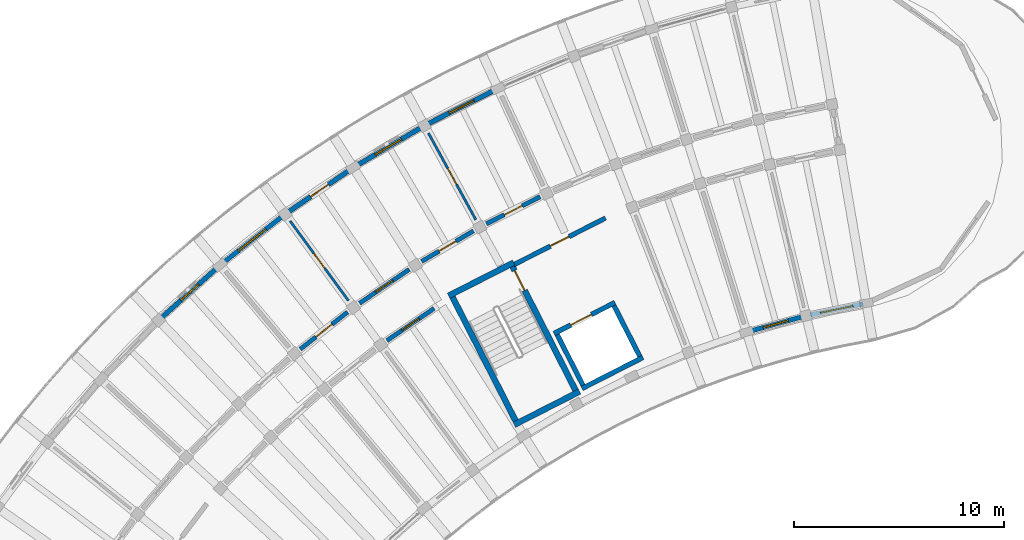
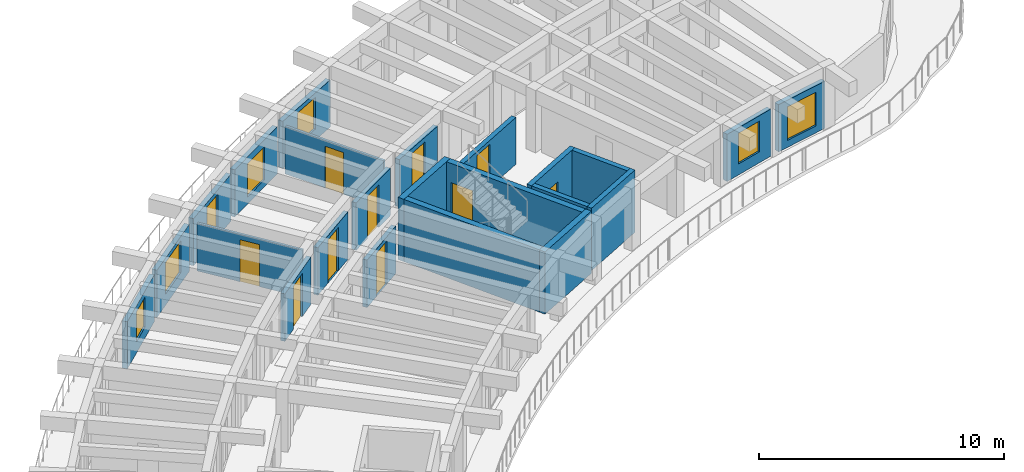
# One storey, part 38 of 62: 23 walls, 11 doors, 6 windows, 17 openings.
"""IFC4 building model written with IfcOpenShell, lengths in metres."""

from ifc_helpers import new_model, si_unit, direction, frame, frame_2d, origin, place, context, subcontext, project, spatial, rectangle, extrude, material, layer, layer_set, type_object, element, fill, save


model = new_model("IFC4")

# Units and contexts
model_context = context("Model", 3, precision=1e-05, world=origin(), true_north=direction((0.0, 1.0)))
body_context = subcontext(model_context, "Body", "Model", "MODEL_VIEW")
ifc_project = project(units=[si_unit("LENGTHUNIT", "METRE"), si_unit("AREAUNIT", "SQUARE_METRE"), si_unit("VOLUMEUNIT", "CUBIC_METRE"), si_unit("PLANEANGLEUNIT", "RADIAN"), si_unit("MASSUNIT", "GRAM", prefix="KILO")], contexts=[model_context])

# Site, building, storey
site_placement = place(None, origin())
site = spatial("IfcSite", under=ifc_project, at=site_placement, CompositionType="ELEMENT")
building_placement = place(site_placement, origin())
building = spatial("IfcBuilding", under=site, at=building_placement, Name="Tanwirah Colonnade Gardens", CompositionType="ELEMENT")
storey_placement = place(building_placement, frame((0.0, 0.0, 32.360107421875)))
storey = spatial("IfcBuildingStorey", under=building, at=storey_placement, Name="L09", CompositionType="ELEMENT", Elevation=32.360107421875)

# Wall, opening, window
ifc_material_1 = material(Name="Limestone architectural precast concrete C40/50", Category="masonry")
ifc_layer_1 = layer(ifc_material_1, 0.22509765625)
ifc_layer_set_1 = layer_set([ifc_layer_1], Name="Limestone architectural precast concrete C40/50")
wall_type_1 = type_object("IfcWallType", Name="EW-PC225", PredefinedType="SOLIDWALL", material=ifc_layer_set_1)
wall_1_placement = place(storey_placement, frame((57.28955078125, 103.970947265625, 0.0), z_axis=(0.0, 0.0, 1.0), x_axis=(-0.979344333802, -0.20219959409, 0.0)))
wall_1 = element("IfcWall", 1, at=wall_1_placement, inside=storey, type_object=wall_type_1, Name="Block A L09 IN Precast Facade Wall 1", PredefinedType="SOLIDWALL", context=body_context, shape_type="SweptSolid", body=[
    extrude(rectangle(XDim=2.545166015625, YDim=0.22509765625, at=frame_2d((1.2724609375, 0.0))), origin(), (0.0, 0.0, 1.0), 2.35498046875),
])
opening_1_placement = place(wall_1_placement, frame((0.482666015625, 0.0, 0.35009765625)))
opening_1 = element("IfcOpeningElement", 2, at=opening_1_placement, cuts=wall_1, Name="Opening WIN-T20", PredefinedType="OPENING", context=body_context, shape_type="SweptSolid", body=[
    extrude(rectangle(XDim=1.580078125, YDim=1.679931640625, at=frame_2d((0.7900390625, 0.83984375))), frame((0.0, 0.12255859375, 0.0), z_axis=(0.0, -1.0, 0.0), x_axis=(1.0, 0.0, 0.0)), (0.0, 0.0, 1.0), 0.2451171875),
])
ifc_material_2 = material(Name="Thermally broken bronze aluminium and solar low-E double glazing", Category="aluminium")
window_type_1 = type_object("IfcWindowType", Name="WIN-T20", PartitioningType="DOUBLE_PANEL_VERTICAL", PredefinedType="WINDOW", material=ifc_material_2)
window_1_placement = place(opening_1_placement, origin())
window_1 = element("IfcWindow", 3, at=window_1_placement, inside=storey, type_object=window_type_1, Name="Facade window A-L09-IN-01", OverallHeight=1.679931640625, OverallWidth=1.580078125, PartitioningType="SINGLE_PANEL", PredefinedType="WINDOW", context=body_context, shape_type="SweptSolid", body=[
    extrude(rectangle(XDim=1.580078125, YDim=1.679931640625, at=frame_2d((0.7900390625, 0.83984375))), frame((0.0, 0.030029296875, 0.0), z_axis=(0.0, -1.0, 0.0), x_axis=(1.0, 0.0, 0.0)), (0.0, 0.0, 1.0), 0.06005859375),
])
fill(opening_1, window_1)

wall_2_placement = place(storey_placement, frame((54.369384765625, 103.353271484375, 0.0), z_axis=(0.0, 0.0, 1.0), x_axis=(-0.963872968618, -0.26636234788, 0.0)))
wall_2 = element("IfcWall", 4, at=wall_2_placement, inside=storey, type_object=wall_type_1, Name="Block A L09 IN Precast Facade Wall 2", PredefinedType="SOLIDWALL", context=body_context, shape_type="SweptSolid", body=[
    extrude(rectangle(XDim=2.54541015625, YDim=0.22509765625, at=frame_2d((1.272705078125, 0.0))), origin(), (0.0, 0.0, 1.0), 2.35498046875),
])
opening_2_placement = place(wall_2_placement, frame((0.652587890625, 0.0, 0.550048828125)))
opening_2 = element("IfcOpeningElement", 5, at=opening_2_placement, cuts=wall_2, Name="Opening WIN-U03", PredefinedType="OPENING", context=body_context, shape_type="SweptSolid", body=[
    extrude(rectangle(XDim=1.239990234375, YDim=1.534912109375, at=frame_2d((0.6201171875, 0.767578125))), frame((0.0, 0.12255859375, 0.0), z_axis=(0.0, -1.0, 0.0), x_axis=(1.0, 0.0, 0.0)), (0.0, 0.0, 1.0), 0.2451171875),
])
window_type_2 = type_object("IfcWindowType", Name="WIN-U03", PartitioningType="DOUBLE_PANEL_VERTICAL", PredefinedType="WINDOW", material=ifc_material_2)
window_2_placement = place(opening_2_placement, origin())
window_2 = element("IfcWindow", 6, at=window_2_placement, inside=storey, type_object=window_type_2, Name="Facade window A-L09-IN-02", OverallHeight=1.534912109375, OverallWidth=1.239990234375, PartitioningType="SINGLE_PANEL", PredefinedType="WINDOW", context=body_context, shape_type="SweptSolid", body=[
    extrude(rectangle(XDim=1.239990234375, YDim=1.534912109375, at=frame_2d((0.6201171875, 0.767578125))), frame((0.0, 0.030029296875, 0.0), z_axis=(0.0, -1.0, 0.0), x_axis=(1.0, 0.0, 0.0)), (0.0, 0.0, 1.0), 0.06005859375),
])
fill(opening_2, window_2)

wall_3_placement = place(storey_placement, frame((39.79052734375, 114.14501953125, 0.0), z_axis=(0.0, 0.0, 1.0), x_axis=(-0.892766264705, -0.450520140066, 0.0)))
wall_3 = element("IfcWall", 7, at=wall_3_placement, inside=storey, type_object=wall_type_1, Name="Block A L09 OUT Precast Facade Wall 5", PredefinedType="SOLIDWALL", context=body_context, shape_type="SweptSolid", body=[
    extrude(rectangle(XDim=3.540771484375, YDim=0.22509765625, at=frame_2d((1.7705078125, 0.0))), origin(), (0.0, 0.0, 1.0), 2.35498046875),
])
opening_3_placement = place(wall_3_placement, frame((1.1103515625, 0.0, 0.550048828125)))
opening_3 = element("IfcOpeningElement", 8, at=opening_3_placement, cuts=wall_3, Name="Opening WIN-U05", PredefinedType="OPENING", context=body_context, shape_type="SweptSolid", body=[
    extrude(rectangle(XDim=1.320068359375, YDim=1.5849609375, at=frame_2d((0.66015625, 0.79248046875))), frame((0.0, 0.12255859375, 0.0), z_axis=(0.0, -1.0, 0.0), x_axis=(1.0, 0.0, 0.0)), (0.0, 0.0, 1.0), 0.2451171875),
])
window_type_3 = type_object("IfcWindowType", Name="WIN-U05", PartitioningType="DOUBLE_PANEL_VERTICAL", PredefinedType="WINDOW", material=ifc_material_2)
window_3_placement = place(opening_3_placement, origin())
window_3 = element("IfcWindow", 9, at=window_3_placement, inside=storey, type_object=window_type_3, Name="Facade window A-L09-OUT-05", OverallHeight=1.5849609375, OverallWidth=1.320068359375, PartitioningType="SINGLE_PANEL", PredefinedType="WINDOW", context=body_context, shape_type="SweptSolid", body=[
    extrude(rectangle(XDim=1.320068359375, YDim=1.5849609375, at=frame_2d((0.66015625, 0.79248046875))), frame((0.0, 0.030029296875, 0.0), z_axis=(0.0, -1.0, 0.0), x_axis=(1.0, 0.0, 0.0)), (0.0, 0.0, 1.0), 0.06005859375),
])
fill(opening_3, window_3)

wall_4_placement = place(storey_placement, frame((36.24365234375, 112.3388671875, 0.0), z_axis=(0.0, 0.0, 1.0), x_axis=(-0.861133733249, -0.508378494294, 0.0)))
wall_4 = element("IfcWall", 10, at=wall_4_placement, inside=storey, type_object=wall_type_1, Name="Block A L09 OUT Precast Facade Wall 6", PredefinedType="SOLIDWALL", context=body_context, shape_type="SweptSolid", body=[
    extrude(rectangle(XDim=3.540771484375, YDim=0.22509765625, at=frame_2d((1.7705078125, 0.0))), origin(), (0.0, 0.0, 1.0), 2.35498046875),
])
opening_4_placement = place(wall_4_placement, frame((1.05029296875, 0.0, 0.35009765625)))
opening_4 = element("IfcOpeningElement", 11, at=opening_4_placement, cuts=wall_4, Name="Opening WIN-U08", PredefinedType="OPENING", context=body_context, shape_type="SweptSolid", body=[
    extrude(rectangle(XDim=1.43994140625, YDim=1.659912109375, at=frame_2d((0.719970703125, 0.830078125))), frame((0.0, 0.12255859375, 0.0), z_axis=(0.0, -1.0, 0.0), x_axis=(1.0, 0.0, 0.0)), (0.0, 0.0, 1.0), 0.2451171875),
])
window_type_4 = type_object("IfcWindowType", Name="WIN-U08", PartitioningType="DOUBLE_PANEL_VERTICAL", PredefinedType="WINDOW", material=ifc_material_2)
window_4_placement = place(opening_4_placement, origin())
window_4 = element("IfcWindow", 12, at=window_4_placement, inside=storey, type_object=window_type_4, Name="Facade window A-L09-OUT-06", OverallHeight=1.659912109375, OverallWidth=1.43994140625, PartitioningType="SINGLE_PANEL", PredefinedType="WINDOW", context=body_context, shape_type="SweptSolid", body=[
    extrude(rectangle(XDim=1.43994140625, YDim=1.659912109375, at=frame_2d((0.719970703125, 0.830078125))), frame((0.0, 0.030029296875, 0.0), z_axis=(0.0, -1.0, 0.0), x_axis=(1.0, 0.0, 0.0)), (0.0, 0.0, 1.0), 0.06005859375),
])
fill(opening_4, window_4)

# Wall, opening, door
wall_5_placement = place(storey_placement, frame((32.916259765625, 110.36181640625, 0.0), z_axis=(0.0, 0.0, 1.0), x_axis=(-0.825792366032, -0.563974262005, 0.0)))
wall_5 = element("IfcWall", 13, at=wall_5_placement, inside=storey, type_object=wall_type_1, Name="Block A L09 OUT Precast Facade Wall 7", PredefinedType="SOLIDWALL", context=body_context, shape_type="SweptSolid", body=[
    extrude(rectangle(XDim=3.54052734375, YDim=0.22509765625, at=frame_2d((1.770263671875, 0.0))), origin(), (0.0, 0.0, 1.0), 2.35498046875),
])
opening_5_placement = place(wall_5_placement, frame((1.26025390625, 0.0, 0.0)))
opening_5 = element("IfcOpeningElement", 14, at=opening_5_placement, cuts=wall_5, Name="Opening L09-ED042", PredefinedType="OPENING", context=body_context, shape_type="SweptSolid", body=[
    extrude(rectangle(XDim=1.02001953125, YDim=2.139892578125, at=frame_2d((0.510009765625, 1.06982421875))), frame((0.0, 0.12255859375, 0.0), z_axis=(0.0, -1.0, 0.0), x_axis=(1.0, 0.0, 0.0)), (0.0, 0.0, 1.0), 0.2451171875),
])
ifc_material_3 = material(Name="Bronze aluminium glazed balcony door", Category="aluminium")
door_type_1 = type_object("IfcDoorType", Name="ED-BAL102", OperationType="NOTDEFINED", PredefinedType="DOOR", material=ifc_material_3)
door_1_placement = place(opening_5_placement, origin())
door_1 = element("IfcDoor", 15, at=door_1_placement, inside=storey, type_object=door_type_1, Name="Balcony glazed door L09-ED042", OperationType="SINGLE_SWING_LEFT", OverallHeight=2.139892578125, OverallWidth=1.02001953125, PredefinedType="DOOR", context=body_context, shape_type="SweptSolid", body=[
    extrude(rectangle(XDim=1.02001953125, YDim=2.139892578125, at=frame_2d((0.510009765625, 1.06982421875))), frame((0.0, 0.02490234375, 0.0), z_axis=(0.0, -1.0, 0.0), x_axis=(1.0, 0.0, 0.0)), (0.0, 0.0, 1.0), 0.050048828125),
])
fill(opening_5, door_1)

# Wall, opening, window
wall_6_placement = place(storey_placement, frame((29.6376953125, 108.10498046875, 0.0), z_axis=(0.0, 0.0, 1.0), x_axis=(-0.786813367299, -0.617190995592, 0.0)))
wall_6 = element("IfcWall", 16, at=wall_6_placement, inside=storey, type_object=wall_type_1, Name="Block A L09 OUT Precast Facade Wall 8", PredefinedType="SOLIDWALL", context=body_context, shape_type="SweptSolid", body=[
    extrude(rectangle(XDim=3.540771484375, YDim=0.22509765625, at=frame_2d((1.7705078125, 0.0))), origin(), (0.0, 0.0, 1.0), 2.35498046875),
])
opening_6_placement = place(wall_6_placement, frame((0.930419921875, 0.0, 0.550048828125)))
opening_6 = element("IfcOpeningElement", 17, at=opening_6_placement, cuts=wall_6, Name="Opening WIN-U14", PredefinedType="OPENING", context=body_context, shape_type="SweptSolid", body=[
    extrude(rectangle(XDim=1.679931640625, YDim=1.5849609375, at=frame_2d((0.83984375, 0.79248046875))), frame((0.0, 0.12255859375, 0.0), z_axis=(0.0, -1.0, 0.0), x_axis=(1.0, 0.0, 0.0)), (0.0, 0.0, 1.0), 0.2451171875),
])
window_type_5 = type_object("IfcWindowType", Name="WIN-U14", PartitioningType="DOUBLE_PANEL_VERTICAL", PredefinedType="WINDOW", material=ifc_material_2)
window_5_placement = place(opening_6_placement, origin())
window_5 = element("IfcWindow", 18, at=window_5_placement, inside=storey, type_object=window_type_5, Name="Facade window A-L09-OUT-08", OverallHeight=1.5849609375, OverallWidth=1.679931640625, PartitioningType="SINGLE_PANEL", PredefinedType="WINDOW", context=body_context, shape_type="SweptSolid", body=[
    extrude(rectangle(XDim=1.679931640625, YDim=1.5849609375, at=frame_2d((0.83984375, 0.79248046875))), frame((0.0, 0.030029296875, 0.0), z_axis=(0.0, -1.0, 0.0), x_axis=(1.0, 0.0, 0.0)), (0.0, 0.0, 1.0), 0.06005859375),
])
fill(opening_6, window_5)

wall_7_placement = place(storey_placement, frame((26.59912109375, 105.707763671875, 0.0), z_axis=(0.0, 0.0, 1.0), x_axis=(-0.744438243575, -0.667691322021, 0.0)))
wall_7 = element("IfcWall", 19, at=wall_7_placement, inside=storey, type_object=wall_type_1, Name="Block A L09 OUT Precast Facade Wall 9", PredefinedType="SOLIDWALL", context=body_context, shape_type="SweptSolid", body=[
    extrude(rectangle(XDim=3.54052734375, YDim=0.22509765625, at=frame_2d((1.770263671875, 0.0))), origin(), (0.0, 0.0, 1.0), 2.35498046875),
])
opening_7_placement = place(wall_7_placement, frame((1.1953125, 0.0, 0.550048828125)))
opening_7 = element("IfcOpeningElement", 20, at=opening_7_placement, cuts=wall_7, Name="Opening WIN-T01", PredefinedType="OPENING", context=body_context, shape_type="SweptSolid", body=[
    extrude(rectangle(XDim=1.14990234375, YDim=1.5, at=frame_2d((0.574951171875, 0.75))), frame((0.0, 0.12255859375, 0.0), z_axis=(0.0, -1.0, 0.0), x_axis=(1.0, 0.0, 0.0)), (0.0, 0.0, 1.0), 0.2451171875),
])
window_type_6 = type_object("IfcWindowType", Name="WIN-T01", PartitioningType="SINGLE_PANEL", PredefinedType="WINDOW", material=ifc_material_2)
window_6_placement = place(opening_7_placement, origin())
window_6 = element("IfcWindow", 21, at=window_6_placement, inside=storey, type_object=window_type_6, Name="Facade window A-L09-OUT-09", OverallHeight=1.5, OverallWidth=1.14990234375, PartitioningType="SINGLE_PANEL", PredefinedType="WINDOW", context=body_context, shape_type="SweptSolid", body=[
    extrude(rectangle(XDim=1.14990234375, YDim=1.5, at=frame_2d((0.574951171875, 0.75))), frame((0.0, 0.030029296875, 0.0), z_axis=(0.0, -1.0, 0.0), x_axis=(1.0, 0.0, 0.0)), (0.0, 0.0, 1.0), 0.06005859375),
])
fill(opening_7, window_6)

# Wall, opening, door
ifc_material_4 = material(Name="Precast concrete C40/50", Category="concrete")
ifc_layer_2 = layer(ifc_material_4, 0.205078125)
ifc_layer_set_2 = layer_set([ifc_layer_2], Name="Precast concrete C40/50")
wall_type_2 = type_object("IfcWallType", Name="IW-CORR205", PredefinedType="PARTITIONING", material=ifc_layer_set_2)
wall_8_placement = place(storey_placement, frame((41.93994140625, 109.072509765625, 0.0), z_axis=(0.0, 0.0, 1.0), x_axis=(-0.89273239336, -0.450587254419, 0.0)))
wall_8 = element("IfcWall", 22, at=wall_8_placement, inside=storey, type_object=wall_type_2, Name="Block A L09 OUT Corridor Wall 5", PredefinedType="PARTITIONING", context=body_context, shape_type="SweptSolid", body=[
    extrude(rectangle(XDim=2.863037109375, YDim=0.205078125, at=frame_2d((1.431640625, 0.0))), origin(), (0.0, 0.0, 1.0), 2.369873046875),
])
opening_8_placement = place(wall_8_placement, frame((0.95654296875, 0.0, 0.0)))
opening_8 = element("IfcOpeningElement", 23, at=opening_8_placement, cuts=wall_8, Name="Opening L09-AD608", PredefinedType="OPENING", context=body_context, shape_type="SweptSolid", body=[
    extrude(rectangle(XDim=0.949951171875, YDim=2.1298828125, at=frame_2d((0.47509765625, 1.06494140625))), frame((0.0, 0.112548828125, 0.0), z_axis=(0.0, -1.0, 0.0), x_axis=(1.0, 0.0, 0.0)), (0.0, 0.0, 1.0), 0.22509765625),
])
ifc_material_5 = material(Name="Solid oak fire-resisting apartment entrance door")
door_type_2 = type_object("IfcDoorType", Name="ID-FLT095", OperationType="NOTDEFINED", PredefinedType="DOOR", material=ifc_material_5)
door_2_placement = place(opening_8_placement, origin())
door_2 = element("IfcDoor", 24, at=door_2_placement, inside=storey, type_object=door_type_2, Name="Apartment corridor door L09-AD608", OperationType="SINGLE_SWING_LEFT", OverallHeight=2.1298828125, OverallWidth=0.949951171875, PredefinedType="DOOR", context=body_context, shape_type="SweptSolid", body=[
    extrude(rectangle(XDim=0.949951171875, YDim=2.1298828125, at=frame_2d((0.47509765625, 1.06494140625))), frame((0.0, 0.02490234375, 0.0), z_axis=(0.0, -1.0, 0.0), x_axis=(1.0, 0.0, 0.0)), (0.0, 0.0, 1.0), 0.050048828125),
])
fill(opening_8, door_2)

wall_9_placement = place(storey_placement, frame((38.77001953125, 107.447021484375, 0.0), z_axis=(0.0, 0.0, 1.0), x_axis=(-0.861113214678, -0.508413248753, 0.0)))
wall_9 = element("IfcWall", 25, at=wall_9_placement, inside=storey, type_object=wall_type_2, Name="Block A L09 OUT Corridor Wall 6", PredefinedType="PARTITIONING", context=body_context, shape_type="SweptSolid", body=[
    extrude(rectangle(XDim=2.863037109375, YDim=0.205078125, at=frame_2d((1.431640625, 0.0))), origin(), (0.0, 0.0, 1.0), 2.369873046875),
])
opening_9_placement = place(wall_9_placement, frame((0.966552734375, 0.0, 0.0)))
opening_9 = element("IfcOpeningElement", 26, at=opening_9_placement, cuts=wall_9, Name="Opening L09-AD610", PredefinedType="OPENING", context=body_context, shape_type="SweptSolid", body=[
    extrude(rectangle(XDim=0.929931640625, YDim=2.1201171875, at=frame_2d((0.46484375, 1.06005859375))), frame((0.0, 0.112548828125, 0.0), z_axis=(0.0, -1.0, 0.0), x_axis=(1.0, 0.0, 0.0)), (0.0, 0.0, 1.0), 0.22509765625),
])
door_type_3 = type_object("IfcDoorType", Name="ID-FLT093", OperationType="NOTDEFINED", PredefinedType="DOOR", material=ifc_material_5)
door_3_placement = place(opening_9_placement, origin())
door_3 = element("IfcDoor", 27, at=door_3_placement, inside=storey, type_object=door_type_3, Name="Apartment corridor door L09-AD610", OperationType="SINGLE_SWING_RIGHT", OverallHeight=2.1201171875, OverallWidth=0.929931640625, PredefinedType="DOOR", context=body_context, shape_type="SweptSolid", body=[
    extrude(rectangle(XDim=0.929931640625, YDim=2.1201171875, at=frame_2d((0.46484375, 1.06005859375))), frame((0.0, 0.02490234375, 0.0), z_axis=(0.0, -1.0, 0.0), x_axis=(1.0, 0.0, 0.0)), (0.0, 0.0, 1.0), 0.050048828125),
])
fill(opening_9, door_3)

wall_10_placement = place(storey_placement, frame((35.714111328125, 105.615966796875, 0.0), z_axis=(0.0, 0.0, 1.0), x_axis=(-0.825779671787, -0.563992848947, 0.0)))
wall_10 = element("IfcWall", 28, at=wall_10_placement, inside=storey, type_object=wall_type_2, Name="Block A L09 OUT Corridor Wall 7", PredefinedType="PARTITIONING", context=body_context, shape_type="SweptSolid", body=[
    extrude(rectangle(XDim=2.863037109375, YDim=0.205078125, at=frame_2d((1.431640625, 0.0))), origin(), (0.0, 0.0, 1.0), 2.369873046875),
])
opening_10_placement = place(wall_10_placement, frame((0.9365234375, 0.0, 0.0)))
opening_10 = element("IfcOpeningElement", 29, at=opening_10_placement, cuts=wall_10, Name="Opening L09-AD611", PredefinedType="OPENING", context=body_context, shape_type="SweptSolid", body=[
    extrude(rectangle(XDim=0.989990234375, YDim=2.159912109375, at=frame_2d((0.4951171875, 1.080078125))), frame((0.0, 0.112548828125, 0.0), z_axis=(0.0, -1.0, 0.0), x_axis=(1.0, 0.0, 0.0)), (0.0, 0.0, 1.0), 0.22509765625),
])
door_type_4 = type_object("IfcDoorType", Name="ID-FLT099", OperationType="NOTDEFINED", PredefinedType="DOOR", material=ifc_material_5)
door_4_placement = place(opening_10_placement, origin())
door_4 = element("IfcDoor", 30, at=door_4_placement, inside=storey, type_object=door_type_4, Name="Apartment corridor door L09-AD611", OperationType="SINGLE_SWING_LEFT", OverallHeight=2.159912109375, OverallWidth=0.989990234375, PredefinedType="DOOR", context=body_context, shape_type="SweptSolid", body=[
    extrude(rectangle(XDim=0.989990234375, YDim=2.159912109375, at=frame_2d((0.4951171875, 1.080078125))), frame((0.0, 0.02490234375, 0.0), z_axis=(0.0, -1.0, 0.0), x_axis=(1.0, 0.0, 0.0)), (0.0, 0.0, 1.0), 0.050048828125),
])
fill(opening_10, door_4)

wall_11_placement = place(storey_placement, frame((36.89453125, 103.759521484375, 0.0), z_axis=(0.0, 0.0, 1.0), x_axis=(-0.825752009056, -0.56403334967, 0.0)))
wall_11 = element("IfcWall", 31, at=wall_11_placement, inside=storey, type_object=wall_type_2, Name="Block A L09 IN Corridor Wall 7", PredefinedType="PARTITIONING", context=body_context, shape_type="SweptSolid", body=[
    extrude(rectangle(XDim=2.71826171875, YDim=0.205078125, at=frame_2d((1.359130859375, 0.0))), origin(), (0.0, 0.0, 1.0), 2.369873046875),
])
opening_11_placement = place(wall_11_placement, frame((0.864013671875, 0.0, 0.0)))
opening_11 = element("IfcOpeningElement", 32, at=opening_11_placement, cuts=wall_11, Name="Opening L09-AD612", PredefinedType="OPENING", context=body_context, shape_type="SweptSolid", body=[
    extrude(rectangle(XDim=0.989990234375, YDim=2.159912109375, at=frame_2d((0.4951171875, 1.080078125))), frame((0.0, 0.112548828125, 0.0), z_axis=(0.0, -1.0, 0.0), x_axis=(1.0, 0.0, 0.0)), (0.0, 0.0, 1.0), 0.22509765625),
])
door_5_placement = place(opening_11_placement, origin())
door_5 = element("IfcDoor", 33, at=door_5_placement, inside=storey, type_object=door_type_4, Name="Apartment corridor door L09-AD612", OperationType="SINGLE_SWING_RIGHT", OverallHeight=2.159912109375, OverallWidth=0.989990234375, PredefinedType="DOOR", context=body_context, shape_type="SweptSolid", body=[
    extrude(rectangle(XDim=0.989990234375, YDim=2.159912109375, at=frame_2d((0.4951171875, 1.080078125))), frame((0.0, 0.02490234375, 0.0), z_axis=(0.0, -1.0, 0.0), x_axis=(1.0, 0.0, 0.0)), (0.0, 0.0, 1.0), 0.050048828125),
])
fill(opening_11, door_5)

wall_12_placement = place(storey_placement, frame((32.785400390625, 103.587890625, 0.0), z_axis=(0.0, 0.0, 1.0), x_axis=(-0.786806323554, -0.617199975061, 0.0)))
wall_12 = element("IfcWall", 34, at=wall_12_placement, inside=storey, type_object=wall_type_2, Name="Block A L09 OUT Corridor Wall 8", PredefinedType="PARTITIONING", context=body_context, shape_type="SweptSolid", body=[
    extrude(rectangle(XDim=2.863037109375, YDim=0.205078125, at=frame_2d((1.431640625, 0.0))), origin(), (0.0, 0.0, 1.0), 2.369873046875),
])
opening_12_placement = place(wall_12_placement, frame((0.946533203125, 0.0, 0.0)))
opening_12 = element("IfcOpeningElement", 35, at=opening_12_placement, cuts=wall_12, Name="Opening L09-AD615", PredefinedType="OPENING", context=body_context, shape_type="SweptSolid", body=[
    extrude(rectangle(XDim=0.969970703125, YDim=2.14990234375, at=frame_2d((0.48486328125, 1.074951171875))), frame((0.0, 0.112548828125, 0.0), z_axis=(0.0, -1.0, 0.0), x_axis=(1.0, 0.0, 0.0)), (0.0, 0.0, 1.0), 0.22509765625),
])
door_type_5 = type_object("IfcDoorType", Name="ID-FLT097", OperationType="NOTDEFINED", PredefinedType="DOOR", material=ifc_material_5)
door_6_placement = place(opening_12_placement, origin())
door_6 = element("IfcDoor", 36, at=door_6_placement, inside=storey, type_object=door_type_5, Name="Apartment corridor door L09-AD615", OperationType="SINGLE_SWING_RIGHT", OverallHeight=2.14990234375, OverallWidth=0.969970703125, PredefinedType="DOOR", context=body_context, shape_type="SweptSolid", body=[
    extrude(rectangle(XDim=0.969970703125, YDim=2.14990234375, at=frame_2d((0.48486328125, 1.074951171875))), frame((0.0, 0.02490234375, 0.0), z_axis=(0.0, -1.0, 0.0), x_axis=(1.0, 0.0, 0.0)), (0.0, 0.0, 1.0), 0.050048828125),
])
fill(opening_12, door_6)

ifc_material_6 = material(Name="Autoclaved aerated masonry blockwork", Category="masonry")
ifc_layer_3 = layer(ifc_material_6, 0.219970703125)
ifc_layer_set_3 = layer_set([ifc_layer_3], Name="Autoclaved aerated masonry blockwork")
wall_type_3 = type_object("IfcWallType", Name="IW-FFL220", PredefinedType="PARTITIONING", material=ifc_layer_set_3)
wall_13_placement = place(storey_placement, frame((40.68212890625, 105.833740234375, 0.0), z_axis=(0.0, 0.0, 1.0), x_axis=(0.891003372311, 0.453996685595, 0.0)))
wall_13 = element("IfcWall", 37, at=wall_13_placement, inside=storey, type_object=wall_type_3, Name="CORE-A1 L09 Enclosed Lobby Fire Wall", PredefinedType="PARTITIONING", context=body_context, shape_type="SweptSolid", body=[
    extrude(rectangle(XDim=4.900146484375, YDim=0.219970703125, at=frame_2d((2.4501953125, 0.0))), origin(), (0.0, 0.0, 1.0), 2.33984375),
])
opening_13_placement = place(wall_13_placement, frame((1.949951171875, 0.0, 0.0)))
opening_13 = element("IfcOpeningElement", 38, at=opening_13_placement, cuts=wall_13, Name="Opening L09-LD027", PredefinedType="OPENING", context=body_context, shape_type="SweptSolid", body=[
    extrude(rectangle(XDim=1.0, YDim=2.14990234375, at=frame_2d((0.5, 1.074951171875))), frame((0.0, 0.119873046875, 0.0), z_axis=(0.0, -1.0, 0.0), x_axis=(1.0, 0.0, 0.0)), (0.0, 0.0, 1.0), 0.239990234375),
])
ifc_material_7 = material(Name="Acoustic fire-resisting lobby door")
door_type_6 = type_object("IfcDoorType", Name="ID-FFL100", OperationType="NOTDEFINED", PredefinedType="DOOR", material=ifc_material_7)
door_7_placement = place(opening_13_placement, origin())
door_7 = element("IfcDoor", 39, at=door_7_placement, inside=storey, type_object=door_type_6, Name="CORE-A1 L09 Lobby Fire Door L09-LD027", OperationType="SINGLE_SWING_RIGHT", OverallHeight=2.14990234375, OverallWidth=1.0, PredefinedType="DOOR", context=body_context, shape_type="SweptSolid", body=[
    extrude(rectangle(XDim=1.0, YDim=2.14990234375, at=frame_2d((0.5, 1.074951171875))), frame((0.0, 0.02490234375, 0.0), z_axis=(0.0, -1.0, 0.0), x_axis=(1.0, 0.0, 0.0)), (0.0, 0.0, 1.0), 0.050048828125),
])
fill(opening_13, door_7)

ifc_material_8 = material(Name="Acoustic gypsum stud partition")
ifc_layer_4 = layer(ifc_material_8, 0.114990234375)
ifc_layer_set_4 = layer_set([ifc_layer_4], Name="Acoustic gypsum stud partition")
wall_type_4 = type_object("IfcWallType", Name="IW-INT115", PredefinedType="PARTITIONING", material=ifc_layer_set_4)
wall_14_placement = place(storey_placement, frame((38.879638671875, 107.975830078125, 0.0), z_axis=(0.0, 0.0, 1.0), x_axis=(-0.479721743761, 0.877420679357, 0.0)))
wall_14 = element("IfcWall", 40, at=wall_14_placement, inside=storey, type_object=wall_type_4, Name="Block A L09 Radial Partition 5", PredefinedType="PARTITIONING", context=body_context, shape_type="SweptSolid", body=[
    extrude(rectangle(XDim=4.699951171875, YDim=0.114990234375, at=frame_2d((2.35009765625, 0.0))), origin(), (0.0, 0.0, 1.0), 2.369873046875),
])
opening_14_placement = place(wall_14_placement, frame((1.9150390625, 0.0, 0.0)))
opening_14 = element("IfcOpeningElement", 41, at=opening_14_placement, cuts=wall_14, Name="Opening L09-RD609", PredefinedType="OPENING", context=body_context, shape_type="SweptSolid", body=[
    extrude(rectangle(XDim=0.8701171875, YDim=2.080078125, at=frame_2d((0.43505859375, 1.0400390625))), frame((0.0, 0.0673828125, 0.0), z_axis=(0.0, -1.0, 0.0), x_axis=(1.0, 0.0, 0.0)), (0.0, 0.0, 1.0), 0.135009765625),
])
ifc_material_9 = material(Name="Painted hardwood study door", Category="wood")
door_type_7 = type_object("IfcDoorType", Name="ID-RM087", OperationType="NOTDEFINED", PredefinedType="DOOR", material=ifc_material_9)
door_8_placement = place(opening_14_placement, origin())
door_8 = element("IfcDoor", 42, at=door_8_placement, inside=storey, type_object=door_type_7, Name="Internal apartment door L09-RD609", OperationType="SINGLE_SWING_LEFT", OverallHeight=2.080078125, OverallWidth=0.8701171875, PredefinedType="DOOR", context=body_context, shape_type="SweptSolid", body=[
    extrude(rectangle(XDim=0.8701171875, YDim=2.080078125, at=frame_2d((0.43505859375, 1.0400390625))), frame((0.0, 0.02490234375, 0.0), z_axis=(0.0, -1.0, 0.0), x_axis=(1.0, 0.0, 0.0)), (0.0, 0.0, 1.0), 0.050048828125),
])
fill(opening_14, door_8)

wall_15_placement = place(storey_placement, frame((32.824462890625, 104.12646484375, 0.0), z_axis=(0.0, 0.0, 1.0), x_axis=(-0.590910940129, 0.806736797745, 0.0)))
wall_15 = element("IfcWall", 43, at=wall_15_placement, inside=storey, type_object=wall_type_4, Name="Block A L09 Radial Partition 7", PredefinedType="PARTITIONING", context=body_context, shape_type="SweptSolid", body=[
    extrude(rectangle(XDim=4.7001953125, YDim=0.114990234375, at=frame_2d((2.35009765625, 0.0))), origin(), (0.0, 0.0, 1.0), 2.369873046875),
])
opening_15_placement = place(wall_15_placement, frame((1.905029296875, 0.0, 0.0)))
opening_15 = element("IfcOpeningElement", 44, at=opening_15_placement, cuts=wall_15, Name="Opening L09-RD613", PredefinedType="OPENING", context=body_context, shape_type="SweptSolid", body=[
    extrude(rectangle(XDim=0.889892578125, YDim=2.10009765625, at=frame_2d((0.44482421875, 1.050048828125))), frame((0.0, 0.0673828125, 0.0), z_axis=(0.0, -1.0, 0.0), x_axis=(1.0, 0.0, 0.0)), (0.0, 0.0, 1.0), 0.135009765625),
])
ifc_material_10 = material(Name="Painted hardwood bedroom door", Category="wood")
door_type_8 = type_object("IfcDoorType", Name="ID-RM089", OperationType="NOTDEFINED", PredefinedType="DOOR", material=ifc_material_10)
door_9_placement = place(opening_15_placement, origin())
door_9 = element("IfcDoor", 45, at=door_9_placement, inside=storey, type_object=door_type_8, Name="Internal apartment door L09-RD613", OperationType="SINGLE_SWING_LEFT", OverallHeight=2.10009765625, OverallWidth=0.889892578125, PredefinedType="DOOR", context=body_context, shape_type="SweptSolid", body=[
    extrude(rectangle(XDim=0.889892578125, YDim=2.10009765625, at=frame_2d((0.44482421875, 1.050048828125))), frame((0.0, 0.02490234375, 0.0), z_axis=(0.0, -1.0, 0.0), x_axis=(1.0, 0.0, 0.0)), (0.0, 0.0, 1.0), 0.050048828125),
])
fill(opening_15, door_9)

# Walls
ifc_material_11 = material(Name="Concrete C45/55", Category="concrete")
ifc_layer_5 = layer(ifc_material_11, 0.280029296875)
ifc_layer_set_5 = layer_set([ifc_layer_5], Name="Concrete C45/55")
wall_type_5 = type_object("IfcWallType", Name="SW-CORE280", PredefinedType="SHEAR", material=ifc_layer_set_5)
wall_16_placement = place(storey_placement, frame((37.7734375, 104.295654296875, 0.0), z_axis=(0.0, 0.0, 1.0), x_axis=(0.453992276384, -0.891005618941, 0.0)))
element("IfcWall", 46, at=wall_16_placement, inside=storey, type_object=wall_type_5, Name="CORE-A1 L09 Stair Shaft Shear Wall LEFT", PredefinedType="SHEAR", context=body_context, shape_type="SweptSolid", body=[
    extrude(rectangle(XDim=6.599853515625, YDim=0.280029296875, at=frame_2d((3.2998046875, 0.0))), origin(), (0.0, 0.0, 1.0), 3.10986328125),
])
for number, where, z_axis, x_axis, name in (
    (47, (40.708740234375, 98.2265625, 0.0), (0.0, 0.0, 1.0), (0.891005763861, 0.453991991964, 0.0), "CORE-A1 L09 Stair Shaft Shear Wall FAR"),
    (48, (37.585205078125, 104.356689453125, 0.0), (0.0, 0.0, 1.0), (0.891020222667, 0.453963613958, 0.0), "CORE-A1 L09 Stair Shaft Shear Wall NEAR"),
):
    element("IfcWall", number, at=place(storey_placement, frame(where, z_axis=z_axis, x_axis=x_axis)), inside=storey, type_object=wall_type_5, Name=name, PredefinedType="SHEAR", context=body_context, shape_type="SweptSolid", body=[
        extrude(rectangle(XDim=3.47998046875, YDim=0.280029296875, at=frame_2d((1.739990234375, 0.0))), origin(), (0.0, 0.0, 1.0), 3.10986328125),
    ])

# Wall, opening, door
wall_17_placement = place(storey_placement, frame((40.624755859375, 105.748291015625, 0.0), z_axis=(0.0, 0.0, 1.0), x_axis=(0.453992276384, -0.891005618941, 0.0)))
wall_17 = element("IfcWall", 49, at=wall_17_placement, inside=storey, type_object=wall_type_5, Name="CORE-A1 L09 Stair Shaft Shear Wall RIGHT", PredefinedType="SHEAR", context=body_context, shape_type="SweptSolid", body=[
    extrude(rectangle(XDim=6.599853515625, YDim=0.280029296875, at=frame_2d((3.2998046875, 0.0))), origin(), (0.0, 0.0, 1.0), 3.10986328125),
])
opening_16_placement = place(wall_17_placement, frame((0.219970703125, 0.0, 0.0)))
opening_16 = element("IfcOpeningElement", 50, at=opening_16_placement, cuts=wall_17, Name="Opening L09-SD011", PredefinedType="OPENING", context=body_context, shape_type="SweptSolid", body=[
    extrude(rectangle(XDim=1.050048828125, YDim=2.14990234375, at=frame_2d((0.52490234375, 1.074951171875))), frame((0.0, 0.14990234375, 0.0), z_axis=(0.0, -1.0, 0.0), x_axis=(1.0, 0.0, 0.0)), (0.0, 0.0, 1.0), 0.300048828125),
])
ifc_material_12 = material(Name="Steel fire-resisting stair enclosure door", Category="steel")
door_type_9 = type_object("IfcDoorType", Name="ID-ST105", OperationType="NOTDEFINED", PredefinedType="DOOR", material=ifc_material_12)
door_10_placement = place(opening_16_placement, origin())
door_10 = element("IfcDoor", 51, at=door_10_placement, inside=storey, type_object=door_type_9, Name="CORE-A1 L09 Stair Fire Door L09-SD011", OperationType="SINGLE_SWING_RIGHT", OverallHeight=2.14990234375, OverallWidth=1.050048828125, PredefinedType="DOOR", context=body_context, shape_type="SweptSolid", body=[
    extrude(rectangle(XDim=1.050048828125, YDim=2.14990234375, at=frame_2d((0.52490234375, 1.074951171875))), frame((0.0, 0.02490234375, 0.0), z_axis=(0.0, -1.0, 0.0), x_axis=(1.0, 0.0, 0.0)), (0.0, 0.0, 1.0), 0.050048828125),
])
fill(opening_16, door_10)

ifc_layer_6 = layer(ifc_material_11, 0.22998046875)
ifc_layer_set_6 = layer_set([ifc_layer_6], Name="Concrete C45/55")
wall_type_6 = type_object("IfcWallType", Name="SW-LIFT230", PredefinedType="SHEAR", material=ifc_layer_set_6)
wall_18_placement = place(storey_placement, frame((42.5966796875, 102.561279296875, 0.0), z_axis=(0.0, 0.0, 1.0), x_axis=(0.891001200497, 0.454000947921, 0.0)))
wall_18 = element("IfcWall", 52, at=wall_18_placement, inside=storey, type_object=wall_type_6, Name="CORE-A1 L09 Lift Shaft Wall FRONT", PredefinedType="SHEAR", context=body_context, shape_type="SweptSolid", body=[
    extrude(rectangle(XDim=3.259765625, YDim=0.22998046875, at=frame_2d((1.6298828125, 0.0))), origin(), (0.0, 0.0, 1.0), 3.10986328125),
])
opening_17_placement = place(wall_18_placement, frame((0.89990234375, 0.0, 0.0)))
opening_17 = element("IfcOpeningElement", 53, at=opening_17_placement, cuts=wall_18, Name="Opening L09-LD-FL-A1", PredefinedType="OPENING", context=body_context, shape_type="SweptSolid", body=[
    extrude(rectangle(XDim=1.10009765625, YDim=2.14990234375, at=frame_2d((0.550048828125, 1.074951171875))), frame((0.0, 0.125, 0.0), z_axis=(0.0, -1.0, 0.0), x_axis=(1.0, 0.0, 0.0)), (0.0, 0.0, 1.0), 0.25),
])
ifc_material_13 = material(Name="Stainless steel sliding fire lift landing door", Category="steel")
door_type_10 = type_object("IfcDoorType", Name="LD-FF11", OperationType="DOUBLE_DOOR_SLIDING", PredefinedType="DOOR", material=ifc_material_13)
door_11_placement = place(opening_17_placement, origin())
door_11 = element("IfcDoor", 54, at=door_11_placement, inside=storey, type_object=door_type_10, Name="Lift FL-A1 L09 Sliding Landing Door", OperationType="DOUBLE_DOOR_SLIDING", OverallHeight=2.14990234375, OverallWidth=1.10009765625, PredefinedType="DOOR", context=body_context, shape_type="SweptSolid", body=[
    extrude(rectangle(XDim=1.10009765625, YDim=2.14990234375, at=frame_2d((0.550048828125, 1.074951171875))), frame((0.0, 0.02490234375, 0.0), z_axis=(0.0, -1.0, 0.0), x_axis=(1.0, 0.0, 0.0)), (0.0, 0.0, 1.0), 0.050048828125),
])
fill(opening_17, door_11)

# Walls
wall_19_placement = place(storey_placement, frame((43.9267578125, 99.950439453125, 0.0), z_axis=(0.0, 0.0, 1.0), x_axis=(0.891016635648, 0.453970654337, 0.0)))
element("IfcWall", 55, at=wall_19_placement, inside=storey, type_object=wall_type_6, Name="CORE-A1 L09 Lift Shaft Wall BACK", PredefinedType="SHEAR", context=body_context, shape_type="SweptSolid", body=[
    extrude(rectangle(XDim=3.260009765625, YDim=0.22998046875, at=frame_2d((1.6298828125, 0.0))), origin(), (0.0, 0.0, 1.0), 3.10986328125),
])
for number, where, z_axis, x_axis, name in (
    (56, (42.751220703125, 102.510986328125, 0.0), (0.0, 0.0, 1.0), (0.454000278178, -0.891001541758, 0.0), "CORE-A1 L09 Lift Shaft Wall SIDEA"),
    (57, (45.450927734375, 103.886474609375, 0.0), (0.0, 0.0, 1.0), (0.454000278178, -0.891001541758, 0.0), "CORE-A1 L09 Lift Shaft Wall SIDEB"),
):
    element("IfcWall", number, at=place(storey_placement, frame(where, z_axis=z_axis, x_axis=x_axis)), inside=storey, type_object=wall_type_6, Name=name, PredefinedType="SHEAR", context=body_context, shape_type="SweptSolid", body=[
        extrude(rectangle(XDim=2.699951171875, YDim=0.22998046875, at=frame_2d((1.35009765625, 0.0))), origin(), (0.0, 0.0, 1.0), 3.10986328125),
    ])

save(model, "model.ifc")
